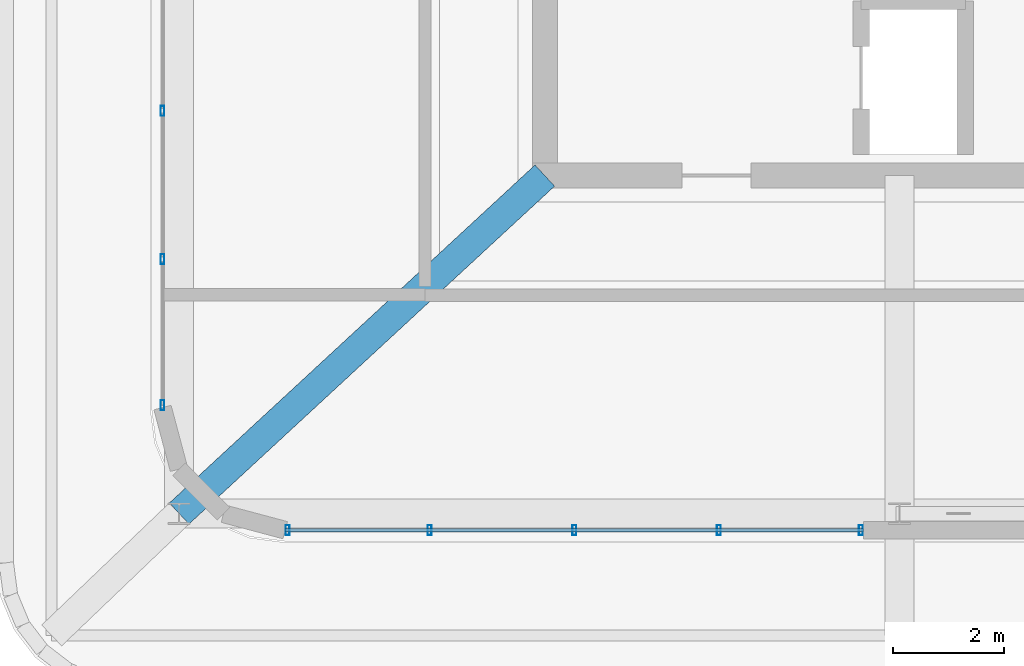
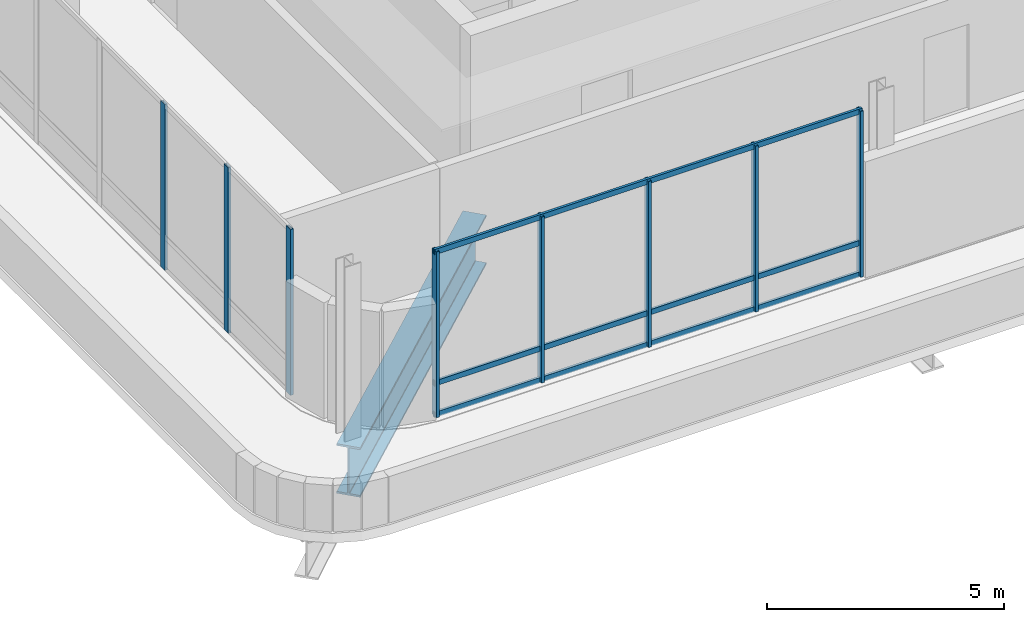
# One storey, part 2 of 28: 11 members, 1 beam, 2 elements without a shape of their own.
"""IFC4 building model written with IfcOpenShell, lengths in metres."""

import ifcopenshell
import ifcopenshell.guid

model = None  # the IFC model being written
_history = None  # IfcOwnerHistory: only IFC2X3 demands one
_inside = {}  # id of a spatial element -> (the spatial element, [elements in it])
_under = {}  # id of a project, library or spatial element -> (it, [spatial elements below it])
_declared = {}  # id of a project -> (the project, [libraries it declares])
_typed = {}  # id of a type object -> (the type object, [elements of that type])
_made_of = {}  # id of a material, layer set ... -> (it, [elements and type objects made of it])


def new_model(schema):
    """Start an empty IFC model of exactly this schema.

    Asked for "IFC4X3", IfcOpenShell would pick the latest addendum, in which some entities
    have other attributes; the version numbers below select the first issue.
    IFC2X3 requires an IfcOwnerHistory on every rooted entity: one is made here for all.
    """
    global model, _history
    if schema == "IFC4X3":
        model = ifcopenshell.file(schema_version=(4, 3, 0, 0))
    else:
        model = ifcopenshell.file(schema=schema)
    _inside.clear()
    _under.clear()
    _declared.clear()
    _typed.clear()
    _made_of.clear()
    _history = None
    if model.schema == "IFC2X3":
        org = make("IfcOrganization", Name="unknown")
        user = make(
            "IfcPersonAndOrganization",
            ThePerson=make("IfcPerson", FamilyName="unknown"),
            TheOrganization=org,
        )
        app = make(
            "IfcApplication",
            ApplicationDeveloper=org,
            Version="unknown",
            ApplicationFullName="unknown",
            ApplicationIdentifier="unknown",
        )
        _history = make(
            "IfcOwnerHistory",
            OwningUser=user,
            OwningApplication=app,
            ChangeAction="ADDED",
            CreationDate=0,
        )
    return model


def make(cls, **values):
    """One entity of the class cls with the attributes given. An attribute that is None is left unset."""
    return model.create_entity(
        cls, **{name: value for name, value in values.items() if value is not None}
    )


def rooted(cls, **values):
    """An entity with a GlobalId (a new one), such as an element, a storey or a relation."""
    return make(cls, GlobalId=ifcopenshell.guid.new(), OwnerHistory=_history, **values)


def si_unit(unit_type, name, prefix=None):
    """IfcSIUnit, for example si_unit("LENGTHUNIT", "METRE", prefix="MILLI")."""
    return make("IfcSIUnit", UnitType=unit_type, Prefix=prefix, Name=name)


def assignment(units):
    """IfcUnitAssignment: the units of a project."""
    return None if units is None else make("IfcUnitAssignment", Units=units)


def point(xyz):
    """IfcCartesianPoint."""
    return None if xyz is None else make("IfcCartesianPoint", Coordinates=xyz)


def direction(xyz):
    """IfcDirection."""
    return None if xyz is None else make("IfcDirection", DirectionRatios=xyz)


def frame(location, z_axis=None, x_axis=None):
    """IfcAxis2Placement3D, a coordinate frame: its origin and axes. An axis left out is left unset."""
    return make(
        "IfcAxis2Placement3D",
        Location=point(location),
        Axis=direction(z_axis),
        RefDirection=direction(x_axis),
    )


def frame_2d(location, x_axis=None):
    """IfcAxis2Placement2D, a coordinate frame in the plane: its origin and x axis."""
    return make(
        "IfcAxis2Placement2D", Location=point(location), RefDirection=direction(x_axis)
    )


def origin():
    """The frame at (0, 0, 0) with its axes left unset."""
    return frame((0.0, 0.0, 0.0))


def origin_2d():
    """The frame at (0, 0) in the plane with its x axis left unset."""
    return frame_2d((0.0, 0.0))


def place(relative_to, where):
    """IfcLocalPlacement: puts the frame where relative to a parent placement (None: the world)."""
    return make(
        "IfcLocalPlacement", PlacementRelTo=relative_to, RelativePlacement=where
    )


def context(
    kind, dimensions, precision=None, world=None, true_north=None, identifier=None
):
    """IfcGeometricRepresentationContext, for example the 3D "Model" context."""
    return make(
        "IfcGeometricRepresentationContext",
        ContextIdentifier=identifier,
        ContextType=kind,
        CoordinateSpaceDimension=dimensions,
        Precision=precision,
        WorldCoordinateSystem=world,
        TrueNorth=true_north,
    )


def subcontext(parent, identifier, kind, view, scale=None):
    """IfcGeometricRepresentationSubContext, for example "Body" below "Model"."""
    return make(
        "IfcGeometricRepresentationSubContext",
        ContextIdentifier=identifier,
        ContextType=kind,
        ParentContext=parent,
        TargetScale=scale,
        TargetView=view,
    )


def project(units=None, contexts=None):
    """IfcProject with its units and contexts."""
    return rooted(
        "IfcProject",
        Name="project",
        RepresentationContexts=contexts,
        UnitsInContext=assignment(units),
    )


def spatial(cls, under=None, at=None, **own):
    """A site, building, storey or space (cls), placed at a placement, below another one or the project."""
    s = rooted(cls, ObjectPlacement=at, **own)
    if under is not None:
        _under.setdefault(under.id(), (under, []))[1].append(s)
    return s


def profile(cls, at=None, kind="AREA", **sizes):
    """A parametric profile (cls). Its sizes go by their IFC names, for example OverallWidth=200.0."""
    return make(cls, ProfileType=kind, Position=at, **sizes)


def hollow_rectangle(**sizes):
    """IfcRectangleHollowProfileDef."""
    return profile("IfcRectangleHollowProfileDef", **sizes)


def i_section(**sizes):
    """IfcIShapeProfileDef."""
    return profile("IfcIShapeProfileDef", **sizes)


def extrude(swept, where, along, depth):
    """IfcExtrudedAreaSolid: the profile swept, set in the frame where, extruded along a direction by depth."""
    return make(
        "IfcExtrudedAreaSolid",
        SweptArea=swept,
        Position=where,
        ExtrudedDirection=direction(along),
        Depth=depth,
    )


def shape(context_of_items, identifier, shape_type, items):
    """IfcShapeRepresentation: the items that make up one representation, for example the "Body"."""
    return make(
        "IfcShapeRepresentation",
        ContextOfItems=context_of_items,
        RepresentationIdentifier=identifier,
        RepresentationType=shape_type,
        Items=items,
    )


def material(Name=None, Category=None):
    """IfcMaterial."""
    return make("IfcMaterial", Name=Name, Category=Category)


def material_profile(
    of_material, cross_section, Name=None, Category=None, Priority=None
):
    """IfcMaterialProfile: a cross section and its material."""
    return make(
        "IfcMaterialProfile",
        Name=Name,
        Material=of_material,
        Profile=cross_section,
        Priority=Priority,
        Category=Category,
    )


def profile_set(profiles, Name=None, composite=None):
    """IfcMaterialProfileSet."""
    return make(
        "IfcMaterialProfileSet",
        Name=Name,
        MaterialProfiles=profiles,
        CompositeProfile=composite,
    )


def made_of(thing, what):
    """Note that an element or type object is made of a material, layer set ...; save() writes the relation."""
    if what is not None:
        _made_of.setdefault(what.id(), (what, []))[1].append(thing)
    return thing


def type_object(cls, material=None, **own):
    """A type object (cls), such as IfcWallType, which elements share."""
    return made_of(rooted(cls, **own), material)


def element(
    cls,
    number,
    at=None,
    inside=None,
    cuts=None,
    type_object=None,
    material=None,
    context=None,
    identifier="Body",
    shape_type=None,
    held_by="IfcProductDefinitionShape",
    body=None,
    shapes=None,
    **own,
):
    """One element of the class cls, such as IfcWall. Its Tag is "e" and its number.

    at: its placement. inside: the storey or other place that contains it. cuts: it is an
    opening in that element (IfcRelVoidsElement). A single representation is given by context,
    identifier, shape_type and body (its items); several are given by shapes. held_by: the class
    of the entity that holds the representations. save() writes the other relations.
    """
    e = rooted(cls, Tag="e%d" % number, ObjectPlacement=at, **own)
    if body is not None:
        shapes = [shape(context, identifier, shape_type, body)]
    if shapes is not None:
        e.Representation = make(held_by, Representations=shapes)
    if inside is not None:
        _inside.setdefault(inside.id(), (inside, []))[1].append(e)
    if cuts is not None:
        rooted(
            "IfcRelVoidsElement", RelatingBuildingElement=cuts, RelatedOpeningElement=e
        )
    if type_object is not None:
        _typed.setdefault(type_object.id(), (type_object, []))[1].append(e)
    return made_of(e, material)


def aggregate(whole, parts):
    """IfcRelAggregates: a whole, such as a stair, and the parts it consists of."""
    return rooted("IfcRelAggregates", RelatingObject=whole, RelatedObjects=parts)


def save(model, path):
    """Write the relations noted so far, then the file.

    IfcRelAggregates (storeys below a building ...), IfcRelContainedInSpatialStructure (elements
    in a storey), IfcRelDefinesByType, IfcRelAssociatesMaterial and IfcRelDeclares: one each for
    every whole, place, type object, material and project.
    """
    for whole, parts in _under.values():
        aggregate(whole, parts)
    for where, things in _inside.values():
        rooted(
            "IfcRelContainedInSpatialStructure",
            RelatedElements=things,
            RelatingStructure=where,
        )
    for kind, things in _typed.values():
        rooted("IfcRelDefinesByType", RelatedObjects=things, RelatingType=kind)
    for what, things in _made_of.values():
        rooted("IfcRelAssociatesMaterial", RelatedObjects=things, RelatingMaterial=what)
    for by, libraries in _declared.values():
        rooted("IfcRelDeclares", RelatingContext=by, RelatedDefinitions=libraries)
    model.write(path)


model = new_model("IFC4")

# Units and contexts
model_context = context("Model", 3, precision=1e-05, world=origin(), true_north=direction((0.0, 1.0)))
body_context = subcontext(model_context, "Body", "Model", "MODEL_VIEW")
ifc_project = project(units=[si_unit("LENGTHUNIT", "METRE"), si_unit("AREAUNIT", "SQUARE_METRE"), si_unit("VOLUMEUNIT", "CUBIC_METRE"), si_unit("PLANEANGLEUNIT", "RADIAN"), si_unit("MASSUNIT", "GRAM", prefix="KILO")], contexts=[model_context])

# Site, building, storey
site_placement = place(None, origin())
site = spatial("IfcSite", under=ifc_project, at=site_placement, CompositionType="ELEMENT")
building_placement = place(site_placement, origin())
building = spatial("IfcBuilding", under=site, at=building_placement, Name="Punatoya Terracotta Tower", CompositionType="ELEMENT")
storey_placement = place(building_placement, frame((0.0, 0.0, 352.800048828125)))
storey = spatial("IfcBuildingStorey", under=building, at=storey_placement, Name="L83", CompositionType="ELEMENT", Elevation=352.800048828125)

# Beam
ifc_material_1 = material(Name="Steel S460", Category="steel")
ifc_material_profile_1 = material_profile(ifc_material_1, i_section(OverallWidth=0.52001953125, OverallDepth=1.280029296875, WebThickness=0.031982421875, FlangeThickness=0.050048828125, FilletRadius=0.01806640625, at=origin_2d()))
ifc_profile_set_1 = profile_set([ifc_material_profile_1], Name="Steel S460")
beam_type = type_object("IfcBeamType", Name="BM-TG-NCK", PredefinedType="BEAM", material=ifc_profile_set_1)
beam_placement = place(storey_placement, frame((-16.800048828125, -15.300048828125, -0.920166015625), z_axis=(0.734376297809, 0.678742552973, 0.0), x_axis=(-0.678742552973, 0.734376297809, 0.0)))
element("IfcBeam", 1, at=beam_placement, inside=storey, type_object=beam_type, Name="BM-L83-CD1B", PredefinedType="BEAM", context=body_context, shape_type="SweptSolid", body=[
    extrude(i_section(OverallWidth=0.52001953125, OverallDepth=1.280029296875, WebThickness=0.031982421875, FlangeThickness=0.050048828125, FilletRadius=0.01806640625, at=origin_2d()), origin(), (0.0, 0.0, 1.0), 8.9873046875),
])

# Curtain wall, members
ifc_material_2 = material(Name="Aluminium 6063-T6 + Double Low-E Glass", Category="aluminium")
curtain_wall_type = type_object("IfcCurtainWallType", Name="CW-CRN", PredefinedType="NOTDEFINED", material=ifc_material_2)
curtain_wall_1_placement = place(storey_placement, origin())
curtain_wall_1 = element("IfcCurtainWall", 2, at=curtain_wall_1_placement, inside=storey, type_object=curtain_wall_type, Name="L83 Curtain Wall CW-L83-S01-1", PredefinedType="NOTDEFINED")
ifc_material_3 = material(Name="Aluminium 6063-T6", Category="aluminium")
ifc_material_profile_2 = material_profile(ifc_material_3, hollow_rectangle(XDim=0.070068359375, YDim=0.179931640625, WallThickness=0.00390625, at=origin_2d()))
ifc_profile_set_2 = profile_set([ifc_material_profile_2], Name="Aluminium 6063-T6")
member_type_1 = type_object("IfcMemberType", Name="CW-MUL-M3", PredefinedType="MULLION", material=ifc_profile_set_2)
member_1_placement = place(storey_placement, frame((-14.841796875, -15.60009765625, 0.0), z_axis=(0.0, 0.0, 1.0), x_axis=(1.0, 0.0, 0.0)))
member_1 = element("IfcMember", 3, at=member_1_placement, type_object=member_type_1, Name="CW-L83-S01-1 Mullion 00", PredefinedType="MULLION", context=body_context, shape_type="SweptSolid", body=[
    extrude(hollow_rectangle(XDim=0.070068359375, YDim=0.179931640625, WallThickness=0.00390625, at=origin_2d()), origin(), (0.0, 0.0, 1.0), 4.280029296875),
])
member_2_placement = place(storey_placement, frame((-12.277587890625, -15.60009765625, 0.0), z_axis=(0.0, 0.0, 1.0), x_axis=(1.0, 0.0, 0.0)))
member_2 = element("IfcMember", 4, at=member_2_placement, type_object=member_type_1, Name="CW-L83-S01-1 Mullion 01", PredefinedType="MULLION", context=body_context, shape_type="SweptSolid", body=[
    extrude(hollow_rectangle(XDim=0.070068359375, YDim=0.179931640625, WallThickness=0.00390625, at=origin_2d()), origin(), (0.0, 0.0, 1.0), 4.280029296875),
])
member_3_placement = place(storey_placement, frame((-9.66845703125, -15.60009765625, 0.0), z_axis=(0.0, 0.0, 1.0), x_axis=(1.0, 0.0, 0.0)))
member_3 = element("IfcMember", 5, at=member_3_placement, type_object=member_type_1, Name="CW-L83-S01-1 Mullion 02", PredefinedType="MULLION", context=body_context, shape_type="SweptSolid", body=[
    extrude(hollow_rectangle(XDim=0.070068359375, YDim=0.179931640625, WallThickness=0.00390625, at=origin_2d()), origin(), (0.0, 0.0, 1.0), 4.280029296875),
])
member_4_placement = place(storey_placement, frame((-7.05908203125, -15.60009765625, 0.0), z_axis=(0.0, 0.0, 1.0), x_axis=(1.0, 0.0, 0.0)))
member_4 = element("IfcMember", 6, at=member_4_placement, type_object=member_type_1, Name="CW-L83-S01-1 Mullion 03", PredefinedType="MULLION", context=body_context, shape_type="SweptSolid", body=[
    extrude(hollow_rectangle(XDim=0.070068359375, YDim=0.179931640625, WallThickness=0.00390625, at=origin_2d()), origin(), (0.0, 0.0, 1.0), 4.280029296875),
])
member_5_placement = place(storey_placement, frame((-4.4951171875, -15.60009765625, 0.0), z_axis=(0.0, 0.0, 1.0), x_axis=(1.0, 0.0, 0.0)))
member_5 = element("IfcMember", 7, at=member_5_placement, type_object=member_type_1, Name="CW-L83-S01-1 Mullion 04", PredefinedType="MULLION", context=body_context, shape_type="SweptSolid", body=[
    extrude(hollow_rectangle(XDim=0.070068359375, YDim=0.179931640625, WallThickness=0.00390625, at=origin_2d()), origin(), (0.0, 0.0, 1.0), 4.280029296875),
])

curtain_wall_2_placement = place(storey_placement, origin())
curtain_wall_2 = element("IfcCurtainWall", 8, at=curtain_wall_2_placement, inside=storey, type_object=curtain_wall_type, Name="L83 Curtain Wall CW-L83-W13-1", PredefinedType="NOTDEFINED")
member_6_placement = place(storey_placement, frame((-17.10009765625, -8.031982421875, 0.0), z_axis=(0.0, 0.0, 1.0), x_axis=(1.0, 0.0, 0.0)))
member_6 = element("IfcMember", 9, at=member_6_placement, type_object=member_type_1, Name="CW-L83-W13-1 Mullion 08", PredefinedType="MULLION", context=body_context, shape_type="SweptSolid", body=[
    extrude(hollow_rectangle(XDim=0.070068359375, YDim=0.179931640625, WallThickness=0.00390625, at=origin_2d()), origin(), (0.0, 0.0, 1.0), 4.280029296875),
])
member_7_placement = place(storey_placement, frame((-17.10009765625, -10.70947265625, 0.0), z_axis=(0.0, 0.0, 1.0), x_axis=(1.0, 0.0, 0.0)))
member_7 = element("IfcMember", 10, at=member_7_placement, type_object=member_type_1, Name="CW-L83-W13-1 Mullion 09", PredefinedType="MULLION", context=body_context, shape_type="SweptSolid", body=[
    extrude(hollow_rectangle(XDim=0.070068359375, YDim=0.179931640625, WallThickness=0.00390625, at=origin_2d()), origin(), (0.0, 0.0, 1.0), 4.280029296875),
])
member_8_placement = place(storey_placement, frame((-17.10009765625, -13.341796875, 0.0), z_axis=(0.0, 0.0, 1.0), x_axis=(1.0, 0.0, 0.0)))
member_8 = element("IfcMember", 11, at=member_8_placement, type_object=member_type_1, Name="CW-L83-W13-1 Mullion 10", PredefinedType="MULLION", context=body_context, shape_type="SweptSolid", body=[
    extrude(hollow_rectangle(XDim=0.070068359375, YDim=0.179931640625, WallThickness=0.00390625, at=origin_2d()), origin(), (0.0, 0.0, 1.0), 4.280029296875),
])
aggregate(curtain_wall_2, [member_6, member_7, member_8])

# Member
ifc_material_profile_3 = material_profile(ifc_material_3, hollow_rectangle(XDim=0.06201171875, YDim=0.135009765625, WallThickness=0.00390625, at=origin_2d()))
ifc_profile_set_3 = profile_set([ifc_material_profile_3], Name="Aluminium 6063-T6")
member_type_2 = type_object("IfcMemberType", Name="CW-TRN-CRN", PredefinedType="USERDEFINED", material=ifc_profile_set_3)
member_9_placement = place(storey_placement, frame((-14.886962890625, -15.60009765625, 0.0400390625), z_axis=(1.0, 0.0, 0.0), x_axis=(0.0, 1.0, 0.0)))
member_9 = element("IfcMember", 12, at=member_9_placement, type_object=member_type_2, Name="CW-L83-S01-1 Transom 1", ObjectType="TRANSOM", PredefinedType="USERDEFINED", context=body_context, shape_type="SweptSolid", body=[
    extrude(hollow_rectangle(XDim=0.06201171875, YDim=0.135009765625, WallThickness=0.00390625, at=origin_2d()), origin(), (0.0, 0.0, 1.0), 10.43701171875),
])

member_10_placement = place(storey_placement, frame((-14.886962890625, -15.60009765625, 0.849853515625), z_axis=(1.0, 0.0, 0.0), x_axis=(0.0, 1.0, 0.0)))
member_10 = element("IfcMember", 13, at=member_10_placement, type_object=member_type_2, Name="CW-L83-S01-1 Transom 2", ObjectType="TRANSOM", PredefinedType="USERDEFINED", context=body_context, shape_type="SweptSolid", body=[
    extrude(hollow_rectangle(XDim=0.06201171875, YDim=0.135009765625, WallThickness=0.00390625, at=origin_2d()), origin(), (0.0, 0.0, 1.0), 10.43701171875),
])

member_11_placement = place(storey_placement, frame((-14.886962890625, -15.60009765625, 4.239990234375), z_axis=(1.0, 0.0, 0.0), x_axis=(0.0, 1.0, 0.0)))
member_11 = element("IfcMember", 14, at=member_11_placement, type_object=member_type_2, Name="CW-L83-S01-1 Transom 3", ObjectType="TRANSOM", PredefinedType="USERDEFINED", context=body_context, shape_type="SweptSolid", body=[
    extrude(hollow_rectangle(XDim=0.06201171875, YDim=0.135009765625, WallThickness=0.00390625, at=origin_2d()), origin(), (0.0, 0.0, 1.0), 10.43701171875),
])

aggregate(curtain_wall_1, [member_1, member_2, member_3, member_4, member_5, member_9, member_10, member_11])

save(model, "model.ifc")
